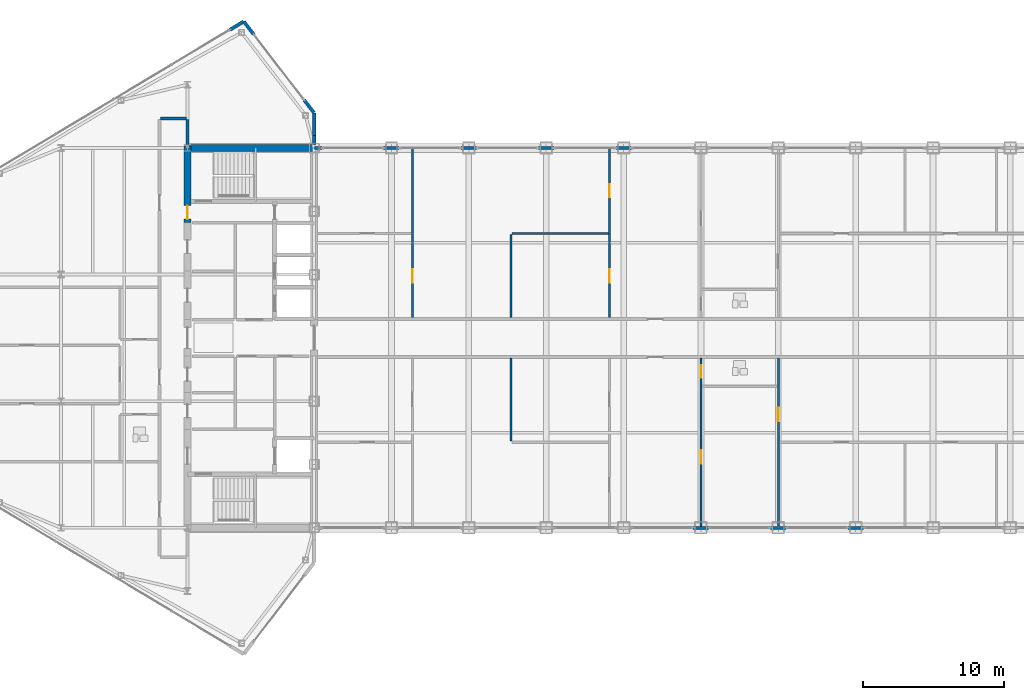
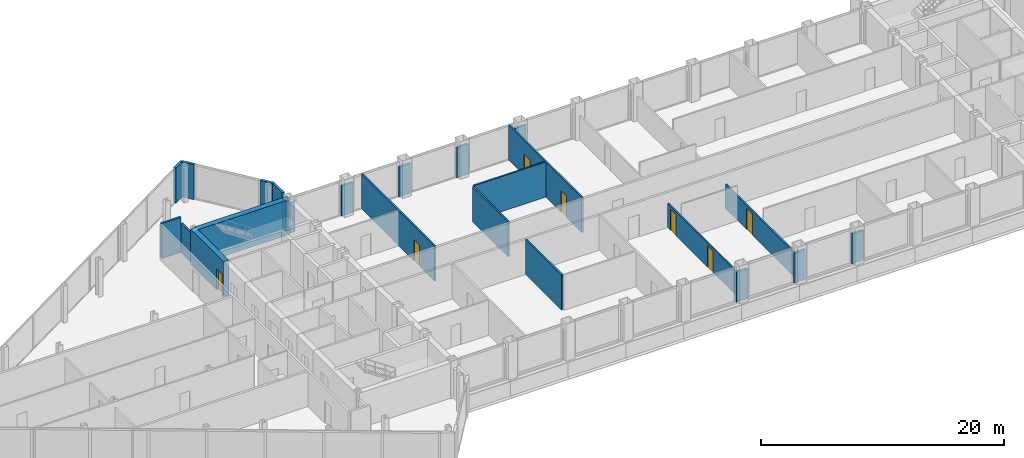
# One storey, part 23 of 29: 24 walls, 7 doors, 7 openings.
"""IFC4 building model written with IfcOpenShell, lengths in metres."""

from ifc_helpers import new_model, si_unit, direction, frame, frame_2d, origin, place, context, subcontext, project, spatial, rectangle, extrude, source, transform, mapped, material, layer, layer_set, type_object, type_shapes, element, fill, save


model = new_model("IFC4")

# Units and contexts
model_context = context("Model", 3, precision=1e-05, world=origin(), true_north=direction((0.0, 1.0)))
body_context = subcontext(model_context, "Body", "Model", "MODEL_VIEW")
ifc_project = project(units=[si_unit("LENGTHUNIT", "METRE"), si_unit("AREAUNIT", "SQUARE_METRE"), si_unit("VOLUMEUNIT", "CUBIC_METRE"), si_unit("PLANEANGLEUNIT", "RADIAN"), si_unit("MASSUNIT", "GRAM", prefix="KILO")], contexts=[model_context])

# Site, building, storey
site_placement = place(None, origin())
site = spatial("IfcSite", under=ifc_project, at=site_placement, CompositionType="ELEMENT")
building_placement = place(site_placement, origin())
building = spatial("IfcBuilding", under=site, at=building_placement, Name="Seokmaru Belvedere", CompositionType="ELEMENT")
storey_placement = place(building_placement, frame((0.0, 0.0, 239.39990234375)))
storey = spatial("IfcBuildingStorey", under=building, at=storey_placement, Name="L63", CompositionType="ELEMENT", Elevation=239.39990234375)

# Wall
ifc_material_1 = material(Name="Fire-Rated Gypsum Shaftwall")
ifc_layer_1 = layer(ifc_material_1, 0.14990234375)
ifc_layer_set_1 = layer_set([ifc_layer_1], Name="Fire-Rated Gypsum Shaftwall")
wall_type_1 = type_object("IfcWallType", Name="Apartment Fire-Acoustic Room Partition 150", PredefinedType="PARTITIONING", material=ifc_layer_set_1)
wall_1_placement = place(storey_placement, frame((-13.4150390625, 7.419921875, 0.0), z_axis=(0.0, 0.0, 1.0), x_axis=(1.0, 0.0, 0.0)))
element("IfcWall", 1, at=wall_1_placement, inside=storey, type_object=wall_type_1, Name="L63 Interior Partition 023", PredefinedType="PARTITIONING", context=body_context, shape_type="SweptSolid", body=[
    extrude(rectangle(XDim=6.830078125, YDim=0.14990234375, at=frame_2d((3.4150390625, 0.0))), origin(), (0.0, 0.0, 1.0), 3.530029296875),
])

# Wall, opening, door
wall_2_placement = place(storey_placement, frame((-20.5, 1.43505859375, 0.0), z_axis=(0.0, 0.0, 1.0), x_axis=(0.0, 1.0, 0.0)))
wall_2 = element("IfcWall", 2, at=wall_2_placement, inside=storey, type_object=wall_type_1, Name="L63 Interior Partition 035", PredefinedType="PARTITIONING", context=body_context, shape_type="SweptSolid", body=[
    extrude(rectangle(XDim=12.06494140625, YDim=0.14990234375, at=frame_2d((6.032470703125, 0.0))), origin(), (0.0, 0.0, 1.0), 3.530029296875),
])
opening_1_placement = place(wall_2_placement, frame((2.4775390625, 0.0, 0.0)))
opening_1 = element("IfcOpeningElement", 3, at=opening_1_placement, cuts=wall_2, Name="Opening D05", PredefinedType="OPENING", context=body_context, shape_type="SweptSolid", body=[
    extrude(rectangle(XDim=0.949951171875, YDim=2.14990234375, at=frame_2d((0.47509765625, 1.074951171875))), frame((0.0, 0.0849609375, 0.0), z_axis=(0.0, -1.0, 0.0), x_axis=(1.0, 0.0, 0.0)), (0.0, 0.0, 1.0), 0.169921875),
])
ifc_material_2 = material(Name="Engineered White Oak Timber", Category="wood")
door_type_1 = type_object("IfcDoorType", Name="Apartment Interior Fire-Rated Oak Door 950x2150", OperationType="NOTDEFINED", PredefinedType="DOOR", material=ifc_material_2)
shared_shape_1 = source(origin(), body_context, "Body", "SweptSolid", [
    extrude(rectangle(XDim=0.949951171875, YDim=2.14990234375, at=frame_2d((0.47509765625, 1.074951171875))), frame((0.0, 0.02490234375, 0.0), z_axis=(0.0, -1.0, 0.0), x_axis=(1.0, 0.0, 0.0)), (0.0, 0.0, 1.0), 0.050048828125),
])
type_shapes(door_type_1, [shared_shape_1])
door_1_placement = place(opening_1_placement, origin())
door_1 = element("IfcDoor", 4, at=door_1_placement, inside=storey, type_object=door_type_1, Name="L63 Interior Door 039", OperationType="SINGLE_SWING_LEFT", OverallHeight=2.14990234375, OverallWidth=0.949951171875, PredefinedType="DOOR", context=body_context, shape_type="MappedRepresentation", body=[
    mapped(shared_shape_1, transform((0.0, 0.0, 0.0), scale=1.0)),
])
fill(opening_1, door_1)

# Walls
for number, where, z_axis, x_axis, name in (
    (5, (-13.5, -7.340087890625, 0.0), (0.0, 0.0, 1.0), (0.0, 1.0, 0.0), "L63 Interior Partition 036"),
    (6, (-13.5, 1.43505859375, 0.0), (0.0, 0.0, 1.0), (0.0, 1.0, 0.0), "L63 Interior Partition 037"),
):
    element("IfcWall", number, at=place(storey_placement, frame(where, z_axis=z_axis, x_axis=x_axis)), inside=storey, type_object=wall_type_1, Name=name, PredefinedType="PARTITIONING", context=body_context, shape_type="SweptSolid", body=[
        extrude(rectangle(XDim=5.905029296875, YDim=0.14990234375, at=frame_2d((2.95263671875, 0.0))), origin(), (0.0, 0.0, 1.0), 3.530029296875),
    ])

# Wall, openings, doors
wall_3_placement = place(storey_placement, frame((-6.5, 1.43505859375, 0.0), z_axis=(0.0, 0.0, 1.0), x_axis=(0.0, 1.0, 0.0)))
wall_3 = element("IfcWall", 7, at=wall_3_placement, inside=storey, type_object=wall_type_1, Name="L63 Interior Partition 039", PredefinedType="PARTITIONING", context=body_context, shape_type="SweptSolid", body=[
    extrude(rectangle(XDim=12.06494140625, YDim=0.14990234375, at=frame_2d((6.032470703125, 0.0))), origin(), (0.0, 0.0, 1.0), 3.530029296875),
])
opening_2_placement = place(wall_3_placement, frame((2.4775390625, 0.0, 0.0)))
opening_2 = element("IfcOpeningElement", 8, at=opening_2_placement, cuts=wall_3, Name="Opening D05", PredefinedType="OPENING", context=body_context, shape_type="SweptSolid", body=[
    extrude(rectangle(XDim=0.949951171875, YDim=2.14990234375, at=frame_2d((0.47509765625, 1.074951171875))), frame((0.0, 0.0849609375, 0.0), z_axis=(0.0, -1.0, 0.0), x_axis=(1.0, 0.0, 0.0)), (0.0, 0.0, 1.0), 0.169921875),
])
opening_3_placement = place(wall_3_placement, frame((8.552490234375, 0.0, 0.0)))
opening_3 = element("IfcOpeningElement", 9, at=opening_3_placement, cuts=wall_3, Name="Opening D05", PredefinedType="OPENING", context=body_context, shape_type="SweptSolid", body=[
    extrude(rectangle(XDim=0.949951171875, YDim=2.14990234375, at=frame_2d((0.47509765625, 1.074951171875))), frame((0.0, 0.0849609375, 0.0), z_axis=(0.0, -1.0, 0.0), x_axis=(1.0, 0.0, 0.0)), (0.0, 0.0, 1.0), 0.169921875),
])
door_2_placement = place(opening_2_placement, origin())
door_2 = element("IfcDoor", 10, at=door_2_placement, inside=storey, type_object=door_type_1, Name="L63 Interior Door 037", OperationType="SINGLE_SWING_LEFT", OverallHeight=2.14990234375, OverallWidth=0.949951171875, PredefinedType="DOOR", context=body_context, shape_type="MappedRepresentation", body=[
    mapped(shared_shape_1, transform((0.0, 0.0, 0.0), scale=1.0)),
])
fill(opening_2, door_2)
door_3_placement = place(opening_3_placement, origin())
door_3 = element("IfcDoor", 11, at=door_3_placement, inside=storey, type_object=door_type_1, Name="L63 Interior Door 038", OperationType="SINGLE_SWING_RIGHT", OverallHeight=2.14990234375, OverallWidth=0.949951171875, PredefinedType="DOOR", context=body_context, shape_type="MappedRepresentation", body=[
    mapped(shared_shape_1, transform((0.0, 0.0, 0.0), scale=1.0)),
])
fill(opening_3, door_3)

# Wall, opening, door
wall_4_placement = place(storey_placement, frame((5.5, -13.389892578125, 0.0), z_axis=(0.0, 0.0, 1.0), x_axis=(0.0, 1.0, 0.0)))
wall_4 = element("IfcWall", 12, at=wall_4_placement, inside=storey, type_object=wall_type_1, Name="L63 Interior Partition 042", PredefinedType="PARTITIONING", context=body_context, shape_type="SweptSolid", body=[
    extrude(rectangle(XDim=11.954833984375, YDim=0.14990234375, at=frame_2d((5.9775390625, 0.0))), origin(), (0.0, 0.0, 1.0), 2.43017578125),
])
opening_4_placement = place(wall_4_placement, frame((7.4775390625, 0.0, 0.0)))
opening_4 = element("IfcOpeningElement", 13, at=opening_4_placement, cuts=wall_4, Name="Opening D05", PredefinedType="OPENING", context=body_context, shape_type="SweptSolid", body=[
    extrude(rectangle(XDim=0.949951171875, YDim=2.14990234375, at=frame_2d((0.47509765625, 1.074951171875))), frame((0.0, 0.0849609375, 0.0), z_axis=(0.0, -1.0, 0.0), x_axis=(1.0, 0.0, 0.0)), (0.0, 0.0, 1.0), 0.169921875),
])
door_4_placement = place(opening_4_placement, origin())
door_4 = element("IfcDoor", 14, at=door_4_placement, inside=storey, type_object=door_type_1, Name="L63 Interior Door 030", OperationType="SINGLE_SWING_LEFT", OverallHeight=2.14990234375, OverallWidth=0.949951171875, PredefinedType="DOOR", context=body_context, shape_type="MappedRepresentation", body=[
    mapped(shared_shape_1, transform((0.0, 0.0, 0.0), scale=1.0)),
])
fill(opening_4, door_4)

# Walls
ifc_material_3 = material(Name="Anodised Bronze Aluminium", Category="aluminium")
ifc_layer_2 = layer(ifc_material_3, 0.2099609375)
ifc_layer_set_2 = layer_set([ifc_layer_2], Name="Anodised Bronze Aluminium")
wall_type_2 = type_object("IfcWallType", Name="Bridge Column Spandrel Closure Pier 210", PredefinedType="SOLIDWALL", material=ifc_layer_set_2)
wall_5_placement = place(storey_placement, frame((-27.489990234375, 13.5, 0.0), z_axis=(0.0, 0.0, 1.0), x_axis=(1.0, 0.0, 0.0)))
element("IfcWall", 15, at=wall_5_placement, inside=storey, type_object=wall_type_2, Name="L63 Bridge North Column Closure Pier 01", PredefinedType="SOLIDWALL", context=body_context, shape_type="SweptSolid", body=[
    extrude(rectangle(XDim=0.5400390625, YDim=0.2099609375, at=frame_2d((0.27001953125, 0.0))), origin(), (0.0, 0.0, 1.0), 3.030029296875),
])
for number, where, z_axis, x_axis, name in (
    (16, (-22.550048828125, 13.5, 0.0), (0.0, 0.0, 1.0), (1.0, 0.0, 0.0), "L63 Bridge North Column Closure Pier 02"),
    (17, (-17.050048828125, 13.5, 0.0), (0.0, 0.0, 1.0), (1.0, 0.0, 0.0), "L63 Bridge North Column Closure Pier 03"),
    (18, (-11.550048828125, 13.5, 0.0), (0.0, 0.0, 1.0), (1.0, 0.0, 0.0), "L63 Bridge North Column Closure Pier 04"),
    (19, (-6.050048828125, 13.5, 0.0), (0.0, 0.0, 1.0), (1.0, 0.0, 0.0), "L63 Bridge North Column Closure Pier 05"),
    (20, (-0.550048828125, -13.5, 0.0), (0.0, 0.0, 1.0), (1.0, 0.0, 0.0), "L63 Bridge South Column Closure Pier 06"),
    (21, (4.949951171875, -13.5, 0.0), (0.0, 0.0, 1.0), (1.0, 0.0, 0.0), "L63 Bridge South Column Closure Pier 07"),
    (22, (10.449951171875, -13.5, 0.0), (0.0, 0.0, 1.0), (1.0, 0.0, 0.0), "L63 Bridge South Column Closure Pier 08"),
):
    element("IfcWall", number, at=place(storey_placement, frame(where, z_axis=z_axis, x_axis=x_axis)), inside=storey, type_object=wall_type_2, Name=name, PredefinedType="SOLIDWALL", context=body_context, shape_type="SweptSolid", body=[
        extrude(rectangle(XDim=1.10009765625, YDim=0.2099609375, at=frame_2d((0.550048828125, 0.0))), origin(), (0.0, 0.0, 1.0), 3.030029296875),
    ])
ifc_layer_3 = layer(ifc_material_1, 0.199951171875)
ifc_layer_set_3 = layer_set([ifc_layer_3], Name="Fire-Rated Gypsum Shaftwall")
wall_type_3 = type_object("IfcWallType", Name="Inter-Tenancy Fire Compartment Partition 200", PredefinedType="PARTITIONING", material=ifc_layer_set_3)
wall_6_placement = place(storey_placement, frame((-38.4150390625, 15.60009765625, 0.0), z_axis=(0.0, 0.0, 1.0), x_axis=(1.0, 0.0, 0.0)))
element("IfcWall", 23, at=wall_6_placement, inside=storey, type_object=wall_type_3, Name="L63 Interior Partition 025", PredefinedType="PARTITIONING", context=body_context, shape_type="SweptSolid", body=[
    extrude(rectangle(XDim=1.830078125, YDim=0.199951171875, at=frame_2d((0.9150390625, 0.0))), origin(), (0.0, 0.0, 1.0), 3.530029296875),
])
wall_7_placement = place(storey_placement, frame((-36.5, 13.7548828125, 0.0), z_axis=(0.0, 0.0, 1.0), x_axis=(0.0, 1.0, 0.0)))
element("IfcWall", 24, at=wall_7_placement, inside=storey, type_object=wall_type_3, Name="L63 Interior Partition 033", PredefinedType="PARTITIONING", context=body_context, shape_type="SweptSolid", body=[
    extrude(rectangle(XDim=1.760009765625, YDim=0.199951171875, at=frame_2d((0.8798828125, 0.0))), origin(), (0.0, 0.0, 1.0), 2.93017578125),
])

# Wall, openings, doors
ifc_layer_4 = layer(ifc_material_1, 0.1298828125)
ifc_layer_set_4 = layer_set([ifc_layer_4], Name="Fire-Rated Gypsum Shaftwall")
wall_type_4 = type_object("IfcWallType", Name="Moisture-Resistant Fire-Rated Bathroom Partition 130", PredefinedType="PARTITIONING", material=ifc_layer_set_4)
wall_8_placement = place(storey_placement, frame((0.0, -13.389892578125, 0.0), z_axis=(0.0, 0.0, 1.0), x_axis=(0.0, 1.0, 0.0)))
wall_8 = element("IfcWall", 25, at=wall_8_placement, inside=storey, type_object=wall_type_4, Name="L63 Interior Partition 040", PredefinedType="PARTITIONING", context=body_context, shape_type="SweptSolid", body=[
    extrude(rectangle(XDim=11.954833984375, YDim=0.1298828125, at=frame_2d((5.9775390625, 0.0))), origin(), (0.0, 0.0, 1.0), 2.43017578125),
])
opening_5_placement = place(wall_8_placement, frame((10.550048828125, 0.0, 0.0)))
opening_5 = element("IfcOpeningElement", 26, at=opening_5_placement, cuts=wall_8, Name="Opening D06", PredefinedType="OPENING", context=body_context, shape_type="SweptSolid", body=[
    extrude(rectangle(XDim=0.8798828125, YDim=2.10009765625, at=frame_2d((0.43994140625, 1.050048828125))), frame((0.0, 0.074951171875, 0.0), z_axis=(0.0, -1.0, 0.0), x_axis=(1.0, 0.0, 0.0)), (0.0, 0.0, 1.0), 0.14990234375),
])
opening_6_placement = place(wall_8_placement, frame((4.43994140625, 0.0, 0.0)))
opening_6 = element("IfcOpeningElement", 27, at=opening_6_placement, cuts=wall_8, Name="Opening D05", PredefinedType="OPENING", context=body_context, shape_type="SweptSolid", body=[
    extrude(rectangle(XDim=0.949951171875, YDim=2.14990234375, at=frame_2d((0.47509765625, 1.074951171875))), frame((0.0, 0.074951171875, 0.0), z_axis=(0.0, -1.0, 0.0), x_axis=(1.0, 0.0, 0.0)), (0.0, 0.0, 1.0), 0.14990234375),
])
door_type_2 = type_object("IfcDoorType", Name="Bathroom and Restroom Fire-Rated Door 880x2100", OperationType="NOTDEFINED", PredefinedType="DOOR", material=ifc_material_2)
shared_shape_2 = source(origin(), body_context, "Body", "SweptSolid", [
    extrude(rectangle(XDim=0.8798828125, YDim=2.10009765625, at=frame_2d((0.43994140625, 1.050048828125))), frame((0.0, 0.02490234375, 0.0), z_axis=(0.0, -1.0, 0.0), x_axis=(1.0, 0.0, 0.0)), (0.0, 0.0, 1.0), 0.050048828125),
])
type_shapes(door_type_2, [shared_shape_2])
door_5_placement = place(opening_5_placement, origin())
door_5 = element("IfcDoor", 28, at=door_5_placement, inside=storey, type_object=door_type_2, Name="L63 Interior Door 024", OperationType="SINGLE_SWING_LEFT", OverallHeight=2.10009765625, OverallWidth=0.8798828125, PredefinedType="DOOR", context=body_context, shape_type="MappedRepresentation", body=[
    mapped(shared_shape_2, transform((0.0, 0.0, 0.0), scale=1.0)),
])
fill(opening_5, door_5)
door_6_placement = place(opening_6_placement, origin())
door_6 = element("IfcDoor", 29, at=door_6_placement, inside=storey, type_object=door_type_1, Name="L63 Interior Door 025", OperationType="SINGLE_SWING_RIGHT", OverallHeight=2.14990234375, OverallWidth=0.949951171875, PredefinedType="DOOR", context=body_context, shape_type="MappedRepresentation", body=[
    mapped(shared_shape_1, transform((0.0, 0.0, 0.0), scale=1.0)),
])
fill(opening_6, door_6)

# Walls
ifc_layer_5 = layer(ifc_material_3, 0.239990234375)
ifc_layer_set_5 = layer_set([ifc_layer_5], Name="Anodised Bronze Aluminium")
wall_type_5 = type_object("IfcWallType", Name="Tower Corner Spandrel Closure Wall 240", PredefinedType="SOLIDWALL", material=ifc_layer_set_5)
wall_9_placement = place(storey_placement, frame((-27.5, 13.7548828125, 0.0), z_axis=(0.0, 0.0, 1.0), x_axis=(0.0, 1.0, 0.0)))
element("IfcWall", 30, at=wall_9_placement, inside=storey, type_object=wall_type_5, Name="L63 W Shoulder Closure Wall 2", PredefinedType="SOLIDWALL", context=body_context, shape_type="SweptSolid", body=[
    extrude(rectangle(XDim=0.619873046875, YDim=0.239990234375, at=frame_2d((0.31005859375, 0.0))), origin(), (0.0, 0.0, 1.0), 3.030029296875),
])
wall_10_placement = place(storey_placement, frame((-27.5, 14.374755859375, 0.0), z_axis=(0.0, 0.0, 1.0), x_axis=(0.0, 1.0, 0.0)))
element("IfcWall", 31, at=wall_10_placement, inside=storey, type_object=wall_type_5, Name="L63 W Shoulder Closure Wall 2 Part 2", PredefinedType="SOLIDWALL", context=body_context, shape_type="SweptSolid", body=[
    extrude(rectangle(XDim=1.605224609375, YDim=0.239990234375, at=frame_2d((0.802734375, 0.0))), origin(), (0.0, 0.0, 1.0), 3.530029296875),
])
for number, where, z_axis, x_axis, name in (
    (32, (-27.506103515625, 16.0078125, 0.0), (0.0, 0.0, 1.0), (-0.609617623633, 0.792695624408, 0.0), "L63 W Corner Closure Pier 2A"),
    (33, (-31.798828125, 21.58837890625, 0.0), (0.0, 0.0, 1.0), (-0.609617623633, 0.792695624408, 0.0), "L63 W Corner Closure Pier 2B"),
    (34, (-32.508544921875, 22.494873046875, 0.0), (0.0, 0.0, 1.0), (-0.85743623509, -0.514590228002, 0.0), "L63 W Corner Closure Pier 3A"),
):
    element("IfcWall", number, at=place(storey_placement, frame(where, z_axis=z_axis, x_axis=x_axis)), inside=storey, type_object=wall_type_5, Name=name, PredefinedType="SOLIDWALL", context=body_context, shape_type="SweptSolid", body=[
        extrude(rectangle(XDim=1.14013671875, YDim=0.239990234375, at=frame_2d((0.570068359375, 0.0))), origin(), (0.0, 0.0, 1.0), 3.530029296875),
    ])
ifc_material_4 = material(Name="Concrete C50 (50 MPa)", Category="concrete")
ifc_layer_6 = layer(ifc_material_4, 0.5)
ifc_layer_set_6 = layer_set([ifc_layer_6], Name="Concrete C50 (50 MPa)")
wall_type_6 = type_object("IfcWallType", Name="Upper Tower Reinforced Concrete Core Wall 500", PredefinedType="SHEAR", material=ifc_layer_set_6)
wall_11_placement = place(storey_placement, frame((-36.5, 13.5, 0.0), z_axis=(0.0, 0.0, 1.0), x_axis=(1.0, 0.0, 0.0)))
element("IfcWall", 35, at=wall_11_placement, inside=storey, type_object=wall_type_6, Name="L63 West North Core Wall", PredefinedType="SHEAR", context=body_context, shape_type="SweptSolid", body=[
    extrude(rectangle(XDim=9.0, YDim=0.5, at=frame_2d((4.5, 0.0))), origin(), (0.0, 0.0, 1.0), 3.530029296875),
])

# Wall, opening, door
wall_12_placement = place(storey_placement, frame((-36.5, 8.199951171875, 0.0), z_axis=(0.0, 0.0, 1.0), x_axis=(0.0, 1.0, 0.0)))
wall_12 = element("IfcWall", 36, at=wall_12_placement, inside=storey, type_object=wall_type_6, Name="L63 West West Core Wall VST", PredefinedType="SHEAR", context=body_context, shape_type="SweptSolid", body=[
    extrude(rectangle(XDim=5.449951171875, YDim=0.5, at=frame_2d((2.72509765625, 0.0))), origin(), (0.0, 0.0, 1.0), 3.530029296875),
])
opening_7_placement = place(wall_12_placement, frame((0.2451171875, 0.0, 0.0)))
opening_7 = element("IfcOpeningElement", 37, at=opening_7_placement, cuts=wall_12, Name="Opening D04", PredefinedType="OPENING", context=body_context, shape_type="SweptSolid", body=[
    extrude(rectangle(XDim=0.949951171875, YDim=2.14990234375, at=frame_2d((0.47509765625, 1.074951171875))), frame((0.0, 0.260009765625, 0.0), z_axis=(0.0, -1.0, 0.0), x_axis=(1.0, 0.0, 0.0)), (0.0, 0.0, 1.0), 0.52001953125),
])
ifc_material_5 = material(Name="Fire-Rated Steel Leaf", Category="steel")
door_type_3 = type_object("IfcDoorType", Name="Core Service Room Fire Door 950x2150", OperationType="NOTDEFINED", PredefinedType="DOOR", material=ifc_material_5)
shared_shape_3 = source(origin(), body_context, "Body", "SweptSolid", [
    extrude(rectangle(XDim=0.949951171875, YDim=2.14990234375, at=frame_2d((0.47509765625, 1.074951171875))), frame((0.0, 0.02490234375, 0.0), z_axis=(0.0, -1.0, 0.0), x_axis=(1.0, 0.0, 0.0)), (0.0, 0.0, 1.0), 0.050048828125),
])
type_shapes(door_type_3, [shared_shape_3])
door_7_placement = place(opening_7_placement, frame((0.949951171875, 0.0, 0.0), z_axis=(0.0, 0.0, 1.0), x_axis=(-1.0, 0.0, 0.0)))
door_7 = element("IfcDoor", 38, at=door_7_placement, inside=storey, type_object=door_type_3, Name="L63 West Smokeproof Vestibule Door", OperationType="SINGLE_SWING_RIGHT", OverallHeight=2.14990234375, OverallWidth=0.949951171875, PredefinedType="DOOR", context=body_context, shape_type="MappedRepresentation", body=[
    mapped(shared_shape_3, transform((0.0, 0.0, 0.0), scale=1.0)),
])
fill(opening_7, door_7)

save(model, "model.ifc")
